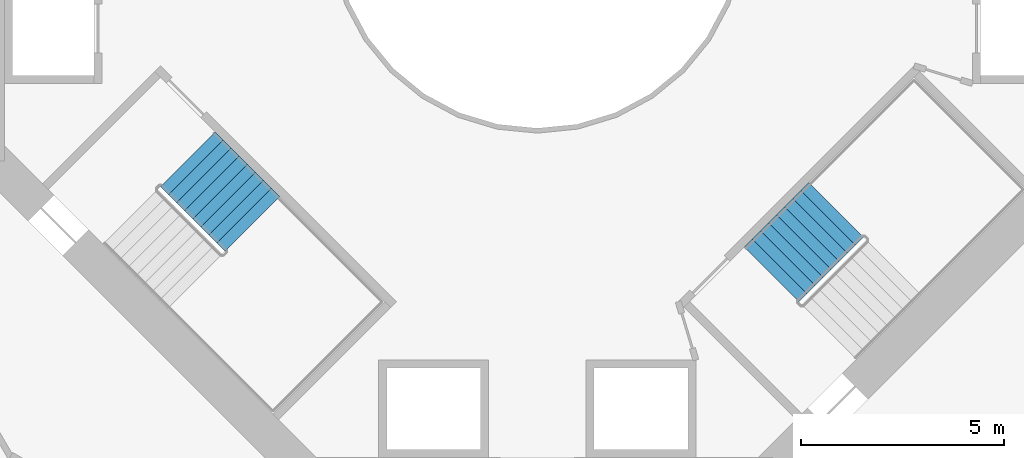
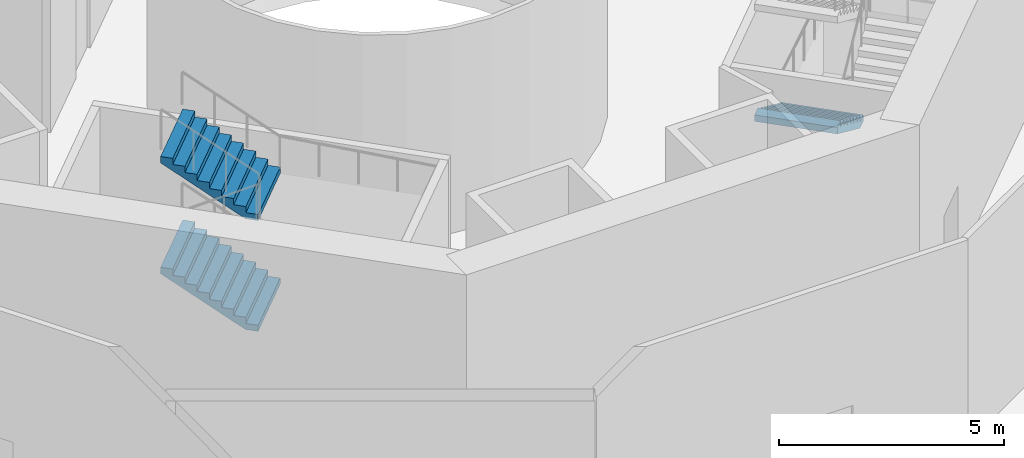
# One storey, part 15 of 29: 3 stair flights, 2 elements without a shape of their own.
"""IFC4 building model written with IfcOpenShell, lengths in metres."""

import ifcopenshell
import ifcopenshell.guid

model = None  # the IFC model being written
_history = None  # IfcOwnerHistory: only IFC2X3 demands one
_inside = {}  # id of a spatial element -> (the spatial element, [elements in it])
_under = {}  # id of a project, library or spatial element -> (it, [spatial elements below it])
_declared = {}  # id of a project -> (the project, [libraries it declares])
_typed = {}  # id of a type object -> (the type object, [elements of that type])
_made_of = {}  # id of a material, layer set ... -> (it, [elements and type objects made of it])


def new_model(schema):
    """Start an empty IFC model of exactly this schema.

    Asked for "IFC4X3", IfcOpenShell would pick the latest addendum, in which some entities
    have other attributes; the version numbers below select the first issue.
    IFC2X3 requires an IfcOwnerHistory on every rooted entity: one is made here for all.
    """
    global model, _history
    if schema == "IFC4X3":
        model = ifcopenshell.file(schema_version=(4, 3, 0, 0))
    else:
        model = ifcopenshell.file(schema=schema)
    _inside.clear()
    _under.clear()
    _declared.clear()
    _typed.clear()
    _made_of.clear()
    _history = None
    if model.schema == "IFC2X3":
        org = make("IfcOrganization", Name="unknown")
        user = make(
            "IfcPersonAndOrganization",
            ThePerson=make("IfcPerson", FamilyName="unknown"),
            TheOrganization=org,
        )
        app = make(
            "IfcApplication",
            ApplicationDeveloper=org,
            Version="unknown",
            ApplicationFullName="unknown",
            ApplicationIdentifier="unknown",
        )
        _history = make(
            "IfcOwnerHistory",
            OwningUser=user,
            OwningApplication=app,
            ChangeAction="ADDED",
            CreationDate=0,
        )
    return model


def make(cls, **values):
    """One entity of the class cls with the attributes given. An attribute that is None is left unset."""
    return model.create_entity(
        cls, **{name: value for name, value in values.items() if value is not None}
    )


def rooted(cls, **values):
    """An entity with a GlobalId (a new one), such as an element, a storey or a relation."""
    return make(cls, GlobalId=ifcopenshell.guid.new(), OwnerHistory=_history, **values)


def si_unit(unit_type, name, prefix=None):
    """IfcSIUnit, for example si_unit("LENGTHUNIT", "METRE", prefix="MILLI")."""
    return make("IfcSIUnit", UnitType=unit_type, Prefix=prefix, Name=name)


def assignment(units):
    """IfcUnitAssignment: the units of a project."""
    return None if units is None else make("IfcUnitAssignment", Units=units)


def point(xyz):
    """IfcCartesianPoint."""
    return None if xyz is None else make("IfcCartesianPoint", Coordinates=xyz)


def direction(xyz):
    """IfcDirection."""
    return None if xyz is None else make("IfcDirection", DirectionRatios=xyz)


def frame(location, z_axis=None, x_axis=None):
    """IfcAxis2Placement3D, a coordinate frame: its origin and axes. An axis left out is left unset."""
    return make(
        "IfcAxis2Placement3D",
        Location=point(location),
        Axis=direction(z_axis),
        RefDirection=direction(x_axis),
    )


def origin():
    """The frame at (0, 0, 0) with its axes left unset."""
    return frame((0.0, 0.0, 0.0))


def place(relative_to, where):
    """IfcLocalPlacement: puts the frame where relative to a parent placement (None: the world)."""
    return make(
        "IfcLocalPlacement", PlacementRelTo=relative_to, RelativePlacement=where
    )


def context(
    kind, dimensions, precision=None, world=None, true_north=None, identifier=None
):
    """IfcGeometricRepresentationContext, for example the 3D "Model" context."""
    return make(
        "IfcGeometricRepresentationContext",
        ContextIdentifier=identifier,
        ContextType=kind,
        CoordinateSpaceDimension=dimensions,
        Precision=precision,
        WorldCoordinateSystem=world,
        TrueNorth=true_north,
    )


def subcontext(parent, identifier, kind, view, scale=None):
    """IfcGeometricRepresentationSubContext, for example "Body" below "Model"."""
    return make(
        "IfcGeometricRepresentationSubContext",
        ContextIdentifier=identifier,
        ContextType=kind,
        ParentContext=parent,
        TargetScale=scale,
        TargetView=view,
    )


def project(units=None, contexts=None):
    """IfcProject with its units and contexts."""
    return rooted(
        "IfcProject",
        Name="project",
        RepresentationContexts=contexts,
        UnitsInContext=assignment(units),
    )


def spatial(cls, under=None, at=None, **own):
    """A site, building, storey or space (cls), placed at a placement, below another one or the project."""
    s = rooted(cls, ObjectPlacement=at, **own)
    if under is not None:
        _under.setdefault(under.id(), (under, []))[1].append(s)
    return s


def point_list(points):
    """IfcCartesianPointList2D or 3D."""
    cls = (
        "IfcCartesianPointList2D" if len(points[0]) == 2 else "IfcCartesianPointList3D"
    )
    return make(cls, CoordList=points)


def triangles(points, corners, closed=None, point_numbers=None):
    """IfcTriangulatedFaceSet: each triangle names its three corners, points numbered from 1."""
    return make(
        "IfcTriangulatedFaceSet",
        Coordinates=point_list(points),
        Closed=closed,
        CoordIndex=corners,
        PnIndex=point_numbers,
    )


def shape(context_of_items, identifier, shape_type, items):
    """IfcShapeRepresentation: the items that make up one representation, for example the "Body"."""
    return make(
        "IfcShapeRepresentation",
        ContextOfItems=context_of_items,
        RepresentationIdentifier=identifier,
        RepresentationType=shape_type,
        Items=items,
    )


def material(Name=None, Category=None):
    """IfcMaterial."""
    return make("IfcMaterial", Name=Name, Category=Category)


def made_of(thing, what):
    """Note that an element or type object is made of a material, layer set ...; save() writes the relation."""
    if what is not None:
        _made_of.setdefault(what.id(), (what, []))[1].append(thing)
    return thing


def type_object(cls, material=None, **own):
    """A type object (cls), such as IfcWallType, which elements share."""
    return made_of(rooted(cls, **own), material)


def element(
    cls,
    number,
    at=None,
    inside=None,
    cuts=None,
    type_object=None,
    material=None,
    context=None,
    identifier="Body",
    shape_type=None,
    held_by="IfcProductDefinitionShape",
    body=None,
    shapes=None,
    **own,
):
    """One element of the class cls, such as IfcWall. Its Tag is "e" and its number.

    at: its placement. inside: the storey or other place that contains it. cuts: it is an
    opening in that element (IfcRelVoidsElement). A single representation is given by context,
    identifier, shape_type and body (its items); several are given by shapes. held_by: the class
    of the entity that holds the representations. save() writes the other relations.
    """
    e = rooted(cls, Tag="e%d" % number, ObjectPlacement=at, **own)
    if body is not None:
        shapes = [shape(context, identifier, shape_type, body)]
    if shapes is not None:
        e.Representation = make(held_by, Representations=shapes)
    if inside is not None:
        _inside.setdefault(inside.id(), (inside, []))[1].append(e)
    if cuts is not None:
        rooted(
            "IfcRelVoidsElement", RelatingBuildingElement=cuts, RelatedOpeningElement=e
        )
    if type_object is not None:
        _typed.setdefault(type_object.id(), (type_object, []))[1].append(e)
    return made_of(e, material)


def aggregate(whole, parts):
    """IfcRelAggregates: a whole, such as a stair, and the parts it consists of."""
    return rooted("IfcRelAggregates", RelatingObject=whole, RelatedObjects=parts)


def save(model, path):
    """Write the relations noted so far, then the file.

    IfcRelAggregates (storeys below a building ...), IfcRelContainedInSpatialStructure (elements
    in a storey), IfcRelDefinesByType, IfcRelAssociatesMaterial and IfcRelDeclares: one each for
    every whole, place, type object, material and project.
    """
    for whole, parts in _under.values():
        aggregate(whole, parts)
    for where, things in _inside.values():
        rooted(
            "IfcRelContainedInSpatialStructure",
            RelatedElements=things,
            RelatingStructure=where,
        )
    for kind, things in _typed.values():
        rooted("IfcRelDefinesByType", RelatedObjects=things, RelatingType=kind)
    for what, things in _made_of.values():
        rooted("IfcRelAssociatesMaterial", RelatedObjects=things, RelatingMaterial=what)
    for by, libraries in _declared.values():
        rooted("IfcRelDeclares", RelatingContext=by, RelatedDefinitions=libraries)
    model.write(path)


model = new_model("IFC4")

# Units and contexts
model_context = context("Model", 3, precision=1e-05, world=origin(), true_north=direction((0.0, 1.0)))
body_context = subcontext(model_context, "Body", "Model", "MODEL_VIEW")
ifc_project = project(units=[si_unit("LENGTHUNIT", "METRE"), si_unit("AREAUNIT", "SQUARE_METRE"), si_unit("VOLUMEUNIT", "CUBIC_METRE"), si_unit("PLANEANGLEUNIT", "RADIAN"), si_unit("MASSUNIT", "GRAM", prefix="KILO")], contexts=[model_context])

# Site, building, storey
site_placement = place(None, origin())
site = spatial("IfcSite", under=ifc_project, at=site_placement, CompositionType="ELEMENT")
building_placement = place(site_placement, origin())
building = spatial("IfcBuilding", under=site, at=building_placement, Name="Verdalira Terraces Hotel", CompositionType="ELEMENT")
storey_placement = place(building_placement, frame((0.0, 0.0, 8.0)))
storey = spatial("IfcBuildingStorey", under=building, at=storey_placement, Name="L01", CompositionType="ELEMENT", Elevation=8.0)

# Stair, stair flights
ifc_material_1 = material(Name="Concrete C40", Category="concrete")
stair_type = type_object("IfcStairType", Name="Core stair 36 risers 1900 mm wide", PredefinedType="HALF_TURN_STAIR", material=ifc_material_1)
stair_1_placement = place(storey_placement, origin())
stair_1 = element("IfcStair", 1, at=stair_1_placement, inside=storey, type_object=stair_type, Name="L01 Exit stair ST2", PredefinedType="HALF_TURN_STAIR")
ifc_material_2 = material(Name="Concrete C40", Category="concrete")
stair_flight_type = type_object("IfcStairFlightType", Name="Core stair flight 36 risers 1900 mm wide", PredefinedType="STRAIGHT", material=ifc_material_2)
stair_flight_1_placement = place(storey_placement, frame((-7.007324, -7.346924, 1.5), z_axis=(0.0, 0.0, 1.0), x_axis=(-0.707106781, 0.707106781, 0.0)))
stair_flight_1 = element("IfcStairFlight", 2, at=stair_flight_1_placement, type_object=stair_flight_type, Name="ST2 flight 2", NumberOfRisers=9, NumberOfTreads=8, PredefinedType="STRAIGHT", RiserHeight=0.166666667, TreadLength=0.28, context=body_context, shape_type="Tessellation", body=[
    triangles([(0.0, 0.949951, 0.0), (0.292969, 0.949951, 0.0), (2.23999, 0.949951, 1.158936), (0.0, -0.949951, 0.0), (0.292969, -0.949951, 0.0), (2.23999, -0.949951, 1.158936), (2.23999, 0.949951, 1.333252), (1.959961, 0.949951, 1.333252), (2.23999, -0.949951, 1.333252), (1.959961, -0.949951, 1.333252), (1.959961, 0.949951, 1.166748), (1.959961, -0.949951, 1.166748), (1.679932, 0.949951, 1.166748), (1.679932, -0.949951, 1.166748), (1.679932, 0.949951, 1.0), (1.679932, -0.949951, 1.0), (1.399902, 0.949951, 1.0), (1.399902, 0.949951, 0.833252), (1.399902, -0.949951, 1.0), (1.399902, -0.949951, 0.833252), (1.120117, 0.949951, 0.833252), (1.120117, 0.949951, 0.666748), (1.120117, -0.949951, 0.833252), (1.120117, -0.949951, 0.666748), (0.840088, 0.949951, 0.666748), (0.840088, 0.949951, 0.5), (0.840088, -0.949951, 0.666748), (0.840088, -0.949951, 0.5), (0.560059, 0.949951, 0.5), (0.560059, 0.949951, 0.333252), (0.560059, -0.949951, 0.5), (0.560059, -0.949951, 0.333252), (0.280029, 0.949951, 0.333252), (0.280029, 0.949951, 0.166748), (0.280029, -0.949951, 0.333252), (0.280029, -0.949951, 0.166748), (0.0, 0.949951, 0.166748), (0.0, -0.949951, 0.166748), (0.0, -0.890579, 0.0), (0.0, -0.890579, 0.166748), (0.0, -0.831207, 0.0), (0.0, -0.831207, 0.166748), (0.0, -0.771835, 0.0), (0.0, -0.771835, 0.166748), (0.0, -0.712463, 0.0), (0.0, -0.712463, 0.166748), (0.0, -0.653091, 0.0), (0.0, -0.653091, 0.166748), (0.0, -0.593719, 0.0), (0.0, -0.593719, 0.166748), (0.0, -0.534348, 0.0), (0.0, -0.534348, 0.166748), (0.0, -0.474976, 0.0), (0.0, -0.474976, 0.166748), (0.0, -0.415604, 0.0), (0.0, -0.415604, 0.166748), (0.0, -0.356232, 0.0), (0.0, -0.356232, 0.166748), (0.0, -0.29686, 0.0), (0.0, -0.29686, 0.166748), (0.0, -0.237488, 0.0), (0.0, -0.237488, 0.166748), (0.0, -0.178116, 0.0), (0.0, -0.178116, 0.166748), (0.0, -0.118744, 0.0), (0.0, -0.118744, 0.166748), (0.0, -0.059372, 0.0), (0.0, -0.059372, 0.166748), (0.0, 0.0, 0.0), (0.0, 0.0, 0.166748), (0.0, 0.059372, 0.0), (0.0, 0.059372, 0.166748), (0.0, 0.118744, 0.0), (0.0, 0.118744, 0.166748), (0.0, 0.178116, 0.0), (0.0, 0.178116, 0.166748), (0.0, 0.237488, 0.0), (0.0, 0.237488, 0.166748), (0.0, 0.29686, 0.0), (0.0, 0.29686, 0.166748), (0.0, 0.356232, 0.0), (0.0, 0.356232, 0.166748), (0.0, 0.415604, 0.0), (0.0, 0.415604, 0.166748), (0.0, 0.474976, 0.0), (0.0, 0.474976, 0.166748), (0.0, 0.534348, 0.0), (0.0, 0.534348, 0.166748), (0.0, 0.593719, 0.0), (0.0, 0.593719, 0.166748), (0.0, 0.653091, 0.0), (0.0, 0.653091, 0.166748), (0.0, 0.712463, 0.0), (0.0, 0.712463, 0.166748), (0.0, 0.771835, 0.0), (0.0, 0.771835, 0.166748), (0.0, 0.831207, 0.0), (0.0, 0.831207, 0.166748), (0.0, 0.890579, 0.0), (0.0, 0.890579, 0.166748), (2.23999, -0.890579, 1.333252), (2.23999, -0.831207, 1.333252), (2.23999, -0.771835, 1.333252), (2.23999, -0.712463, 1.333252), (2.23999, -0.653091, 1.333252), (2.23999, -0.593719, 1.333252), (2.23999, -0.534348, 1.333252), (2.23999, -0.474976, 1.333252), (2.23999, -0.415604, 1.333252), (2.23999, -0.356232, 1.333252), (2.23999, -0.29686, 1.333252), (2.23999, -0.237488, 1.333252), (2.23999, -0.178116, 1.333252), (2.23999, -0.118744, 1.333252), (2.23999, -0.059372, 1.333252), (2.23999, 0.0, 1.333252), (2.23999, 0.059372, 1.333252), (2.23999, 0.118744, 1.333252), (2.23999, 0.178116, 1.333252), (2.23999, 0.237488, 1.333252), (2.23999, 0.29686, 1.333252), (2.23999, 0.356232, 1.333252), (2.23999, 0.415604, 1.333252), (2.23999, 0.474976, 1.333252), (2.23999, 0.534348, 1.333252), (2.23999, 0.593719, 1.333252), (2.23999, 0.653091, 1.333252), (2.23999, 0.712463, 1.333252), (2.23999, 0.771835, 1.333252), (2.23999, 0.831207, 1.333252), (2.23999, 0.890579, 1.333252), (2.23999, -0.890579, 1.158936), (2.23999, -0.831207, 1.158936), (2.23999, -0.771835, 1.158936), (2.23999, -0.712463, 1.158936), (2.23999, -0.653091, 1.158936), (2.23999, -0.593719, 1.158936), (2.23999, -0.534348, 1.158936), (2.23999, -0.474976, 1.158936), (2.23999, -0.415604, 1.158936), (2.23999, -0.356232, 1.158936), (2.23999, -0.29686, 1.158936), (2.23999, -0.237488, 1.158936), (2.23999, -0.178116, 1.158936), (2.23999, -0.118744, 1.158936), (2.23999, -0.059372, 1.158936), (2.23999, 0.0, 1.158936), (2.23999, 0.059372, 1.158936), (2.23999, 0.118744, 1.158936), (2.23999, 0.178116, 1.158936), (2.23999, 0.237488, 1.158936), (2.23999, 0.29686, 1.158936), (2.23999, 0.356232, 1.158936), (2.23999, 0.415604, 1.158936), (2.23999, 0.474976, 1.158936), (2.23999, 0.534348, 1.158936), (2.23999, 0.593719, 1.158936), (2.23999, 0.653091, 1.158936), (2.23999, 0.712463, 1.158936), (2.23999, 0.771835, 1.158936), (2.23999, 0.831207, 1.158936), (2.23999, 0.890579, 1.158936)], [[1, 3, 2], [4, 5, 6], [3, 8, 7], [6, 9, 10], [3, 11, 8], [6, 10, 12], [3, 13, 11], [6, 12, 14], [3, 15, 13], [6, 14, 16], [15, 18, 17], [16, 19, 20], [3, 18, 15], [6, 16, 20], [18, 22, 21], [20, 23, 24], [3, 22, 18], [6, 20, 24], [22, 26, 25], [24, 27, 28], [3, 26, 22], [6, 24, 28], [26, 30, 29], [28, 31, 32], [3, 30, 26], [6, 28, 32], [1, 30, 3], [4, 6, 32], [30, 34, 33], [32, 35, 36], [1, 34, 30], [4, 32, 36], [34, 1, 37], [36, 38, 4], [4, 40, 39], [4, 38, 40], [39, 42, 41], [39, 40, 42], [41, 44, 43], [41, 42, 44], [43, 46, 45], [43, 44, 46], [45, 48, 47], [45, 46, 48], [47, 50, 49], [47, 48, 50], [49, 52, 51], [49, 50, 52], [51, 54, 53], [51, 52, 54], [53, 56, 55], [53, 54, 56], [55, 58, 57], [55, 56, 58], [57, 60, 59], [57, 58, 60], [59, 62, 61], [59, 60, 62], [61, 64, 63], [61, 62, 64], [63, 66, 65], [63, 64, 66], [65, 68, 67], [65, 66, 68], [67, 70, 69], [67, 68, 70], [69, 72, 71], [69, 70, 72], [71, 74, 73], [71, 72, 74], [73, 76, 75], [73, 74, 76], [75, 78, 77], [75, 76, 78], [77, 80, 79], [77, 78, 80], [79, 82, 81], [79, 80, 82], [81, 84, 83], [81, 82, 84], [83, 86, 85], [83, 84, 86], [85, 88, 87], [85, 86, 88], [87, 90, 89], [87, 88, 90], [89, 92, 91], [89, 90, 92], [91, 94, 93], [91, 92, 94], [93, 96, 95], [93, 94, 96], [95, 98, 97], [95, 96, 98], [97, 100, 99], [97, 98, 100], [99, 37, 1], [99, 100, 37], [38, 36, 40], [40, 36, 42], [42, 36, 44], [44, 36, 46], [46, 36, 48], [48, 36, 50], [50, 36, 52], [52, 36, 54], [54, 36, 56], [56, 36, 58], [58, 36, 60], [60, 36, 62], [62, 36, 64], [64, 36, 66], [66, 36, 68], [68, 36, 70], [70, 36, 72], [72, 36, 74], [74, 36, 76], [76, 36, 78], [78, 36, 80], [80, 36, 82], [82, 36, 84], [84, 36, 86], [86, 36, 88], [88, 36, 90], [90, 36, 92], [92, 36, 94], [94, 36, 96], [96, 36, 98], [98, 36, 100], [100, 36, 37], [37, 36, 34], [36, 33, 34], [36, 35, 33], [35, 30, 33], [35, 32, 30], [32, 29, 30], [32, 31, 29], [31, 26, 29], [31, 28, 26], [28, 25, 26], [28, 27, 25], [27, 22, 25], [27, 24, 22], [24, 21, 22], [24, 23, 21], [23, 18, 21], [23, 20, 18], [20, 17, 18], [20, 19, 17], [19, 15, 17], [19, 16, 15], [16, 13, 15], [16, 14, 13], [14, 11, 13], [14, 12, 11], [12, 8, 11], [12, 10, 8], [9, 101, 10], [101, 102, 10], [102, 103, 10], [103, 104, 10], [104, 105, 10], [105, 106, 10], [106, 107, 10], [107, 108, 10], [108, 109, 10], [109, 110, 10], [110, 111, 10], [111, 112, 10], [112, 113, 10], [113, 114, 10], [114, 115, 10], [115, 116, 10], [116, 117, 10], [117, 118, 10], [118, 119, 10], [119, 120, 10], [120, 121, 10], [121, 122, 10], [122, 123, 10], [123, 124, 10], [124, 125, 10], [125, 126, 10], [126, 127, 10], [127, 128, 10], [128, 129, 10], [129, 130, 10], [130, 131, 10], [131, 7, 10], [7, 8, 10], [9, 132, 101], [9, 6, 132], [101, 133, 102], [101, 132, 133], [102, 134, 103], [102, 133, 134], [103, 135, 104], [103, 134, 135], [104, 136, 105], [104, 135, 136], [105, 137, 106], [105, 136, 137], [106, 138, 107], [106, 137, 138], [107, 139, 108], [107, 138, 139], [108, 140, 109], [108, 139, 140], [109, 141, 110], [109, 140, 141], [110, 142, 111], [110, 141, 142], [111, 143, 112], [111, 142, 143], [112, 144, 113], [112, 143, 144], [113, 145, 114], [113, 144, 145], [114, 146, 115], [114, 145, 146], [115, 147, 116], [115, 146, 147], [116, 148, 117], [116, 147, 148], [117, 149, 118], [117, 148, 149], [118, 150, 119], [118, 149, 150], [119, 151, 120], [119, 150, 151], [120, 152, 121], [120, 151, 152], [121, 153, 122], [121, 152, 153], [122, 154, 123], [122, 153, 154], [123, 155, 124], [123, 154, 155], [124, 156, 125], [124, 155, 156], [125, 157, 126], [125, 156, 157], [126, 158, 127], [126, 157, 158], [127, 159, 128], [127, 158, 159], [128, 160, 129], [128, 159, 160], [129, 161, 130], [129, 160, 161], [130, 162, 131], [130, 161, 162], [131, 3, 7], [131, 162, 3], [6, 5, 132], [132, 5, 133], [133, 5, 134], [134, 5, 135], [135, 5, 136], [136, 5, 137], [137, 5, 138], [138, 5, 139], [139, 5, 140], [140, 5, 141], [141, 5, 142], [142, 5, 143], [143, 5, 144], [144, 5, 145], [145, 5, 146], [146, 5, 147], [147, 5, 148], [148, 5, 149], [149, 5, 150], [150, 5, 151], [151, 5, 152], [152, 5, 153], [153, 5, 154], [154, 5, 155], [155, 5, 156], [156, 5, 157], [157, 5, 158], [158, 5, 159], [159, 5, 160], [160, 5, 161], [161, 5, 162], [162, 5, 3], [3, 5, 2], [4, 39, 5], [39, 41, 5], [41, 43, 5], [43, 45, 5], [45, 47, 5], [47, 49, 5], [49, 51, 5], [51, 53, 5], [53, 55, 5], [55, 57, 5], [57, 59, 5], [59, 61, 5], [61, 63, 5], [63, 65, 5], [65, 67, 5], [67, 69, 5], [69, 71, 5], [71, 73, 5], [73, 75, 5], [75, 77, 5], [77, 79, 5], [79, 81, 5], [81, 83, 5], [83, 85, 5], [85, 87, 5], [87, 89, 5], [89, 91, 5], [91, 93, 5], [93, 95, 5], [95, 97, 5], [97, 99, 5], [99, 1, 5], [1, 2, 5]], closed=True),
])
stair_flight_2_placement = place(storey_placement, frame((-7.007324, -7.346924, 4.5), z_axis=(0.0, 0.0, 1.0), x_axis=(-0.707106781, 0.707106781, 0.0)))
stair_flight_2 = element("IfcStairFlight", 3, at=stair_flight_2_placement, type_object=stair_flight_type, Name="ST2 flight 4", NumberOfRisers=9, NumberOfTreads=8, PredefinedType="STRAIGHT", RiserHeight=0.166666667, TreadLength=0.28, context=body_context, shape_type="Tessellation", body=[
    triangles([(0.0, 0.949951, 0.0), (0.292969, 0.949951, 0.0), (2.23999, 0.949951, 1.158936), (0.0, -0.949951, 0.0), (0.292969, -0.949951, 0.0), (2.23999, -0.949951, 1.158936), (2.23999, 0.949951, 1.333252), (1.959961, 0.949951, 1.333252), (2.23999, -0.949951, 1.333252), (1.959961, -0.949951, 1.333252), (1.959961, 0.949951, 1.166748), (1.959961, -0.949951, 1.166748), (1.679932, 0.949951, 1.166748), (1.679932, -0.949951, 1.166748), (1.679932, 0.949951, 1.0), (1.679932, -0.949951, 1.0), (1.399902, 0.949951, 1.0), (1.399902, 0.949951, 0.833252), (1.399902, -0.949951, 1.0), (1.399902, -0.949951, 0.833252), (1.120117, 0.949951, 0.833252), (1.120117, 0.949951, 0.666748), (1.120117, -0.949951, 0.833252), (1.120117, -0.949951, 0.666748), (0.840088, 0.949951, 0.666748), (0.840088, 0.949951, 0.5), (0.840088, -0.949951, 0.666748), (0.840088, -0.949951, 0.5), (0.560059, 0.949951, 0.5), (0.560059, 0.949951, 0.333252), (0.560059, -0.949951, 0.5), (0.560059, -0.949951, 0.333252), (0.280029, 0.949951, 0.333252), (0.280029, 0.949951, 0.166748), (0.280029, -0.949951, 0.333252), (0.280029, -0.949951, 0.166748), (0.0, 0.949951, 0.166748), (0.0, -0.949951, 0.166748), (0.0, -0.890579, 0.0), (0.0, -0.890579, 0.166748), (0.0, -0.831207, 0.0), (0.0, -0.831207, 0.166748), (0.0, -0.771835, 0.0), (0.0, -0.771835, 0.166748), (0.0, -0.712463, 0.0), (0.0, -0.712463, 0.166748), (0.0, -0.653091, 0.0), (0.0, -0.653091, 0.166748), (0.0, -0.593719, 0.0), (0.0, -0.593719, 0.166748), (0.0, -0.534348, 0.0), (0.0, -0.534348, 0.166748), (0.0, -0.474976, 0.0), (0.0, -0.474976, 0.166748), (0.0, -0.415604, 0.0), (0.0, -0.415604, 0.166748), (0.0, -0.356232, 0.0), (0.0, -0.356232, 0.166748), (0.0, -0.29686, 0.0), (0.0, -0.29686, 0.166748), (0.0, -0.237488, 0.0), (0.0, -0.237488, 0.166748), (0.0, -0.178116, 0.0), (0.0, -0.178116, 0.166748), (0.0, -0.118744, 0.0), (0.0, -0.118744, 0.166748), (0.0, -0.059372, 0.0), (0.0, -0.059372, 0.166748), (0.0, 0.0, 0.0), (0.0, 0.0, 0.166748), (0.0, 0.059372, 0.0), (0.0, 0.059372, 0.166748), (0.0, 0.118744, 0.0), (0.0, 0.118744, 0.166748), (0.0, 0.178116, 0.0), (0.0, 0.178116, 0.166748), (0.0, 0.237488, 0.0), (0.0, 0.237488, 0.166748), (0.0, 0.29686, 0.0), (0.0, 0.29686, 0.166748), (0.0, 0.356232, 0.0), (0.0, 0.356232, 0.166748), (0.0, 0.415604, 0.0), (0.0, 0.415604, 0.166748), (0.0, 0.474976, 0.0), (0.0, 0.474976, 0.166748), (0.0, 0.534348, 0.0), (0.0, 0.534348, 0.166748), (0.0, 0.593719, 0.0), (0.0, 0.593719, 0.166748), (0.0, 0.653091, 0.0), (0.0, 0.653091, 0.166748), (0.0, 0.712463, 0.0), (0.0, 0.712463, 0.166748), (0.0, 0.771835, 0.0), (0.0, 0.771835, 0.166748), (0.0, 0.831207, 0.0), (0.0, 0.831207, 0.166748), (0.0, 0.890579, 0.0), (0.0, 0.890579, 0.166748), (2.23999, -0.890579, 1.333252), (2.23999, -0.831207, 1.333252), (2.23999, -0.771835, 1.333252), (2.23999, -0.712463, 1.333252), (2.23999, -0.653091, 1.333252), (2.23999, -0.593719, 1.333252), (2.23999, -0.534348, 1.333252), (2.23999, -0.474976, 1.333252), (2.23999, -0.415604, 1.333252), (2.23999, -0.356232, 1.333252), (2.23999, -0.29686, 1.333252), (2.23999, -0.237488, 1.333252), (2.23999, -0.178116, 1.333252), (2.23999, -0.118744, 1.333252), (2.23999, -0.059372, 1.333252), (2.23999, 0.0, 1.333252), (2.23999, 0.059372, 1.333252), (2.23999, 0.118744, 1.333252), (2.23999, 0.178116, 1.333252), (2.23999, 0.237488, 1.333252), (2.23999, 0.29686, 1.333252), (2.23999, 0.356232, 1.333252), (2.23999, 0.415604, 1.333252), (2.23999, 0.474976, 1.333252), (2.23999, 0.534348, 1.333252), (2.23999, 0.593719, 1.333252), (2.23999, 0.653091, 1.333252), (2.23999, 0.712463, 1.333252), (2.23999, 0.771835, 1.333252), (2.23999, 0.831207, 1.333252), (2.23999, 0.890579, 1.333252), (2.23999, -0.890579, 1.158936), (2.23999, -0.831207, 1.158936), (2.23999, -0.771835, 1.158936), (2.23999, -0.712463, 1.158936), (2.23999, -0.653091, 1.158936), (2.23999, -0.593719, 1.158936), (2.23999, -0.534348, 1.158936), (2.23999, -0.474976, 1.158936), (2.23999, -0.415604, 1.158936), (2.23999, -0.356232, 1.158936), (2.23999, -0.29686, 1.158936), (2.23999, -0.237488, 1.158936), (2.23999, -0.178116, 1.158936), (2.23999, -0.118744, 1.158936), (2.23999, -0.059372, 1.158936), (2.23999, 0.0, 1.158936), (2.23999, 0.059372, 1.158936), (2.23999, 0.118744, 1.158936), (2.23999, 0.178116, 1.158936), (2.23999, 0.237488, 1.158936), (2.23999, 0.29686, 1.158936), (2.23999, 0.356232, 1.158936), (2.23999, 0.415604, 1.158936), (2.23999, 0.474976, 1.158936), (2.23999, 0.534348, 1.158936), (2.23999, 0.593719, 1.158936), (2.23999, 0.653091, 1.158936), (2.23999, 0.712463, 1.158936), (2.23999, 0.771835, 1.158936), (2.23999, 0.831207, 1.158936), (2.23999, 0.890579, 1.158936)], [[1, 3, 2], [4, 5, 6], [3, 8, 7], [6, 9, 10], [3, 11, 8], [6, 10, 12], [3, 13, 11], [6, 12, 14], [3, 15, 13], [6, 14, 16], [15, 18, 17], [16, 19, 20], [3, 18, 15], [6, 16, 20], [18, 22, 21], [20, 23, 24], [3, 22, 18], [6, 20, 24], [22, 26, 25], [24, 27, 28], [3, 26, 22], [6, 24, 28], [26, 30, 29], [28, 31, 32], [3, 30, 26], [6, 28, 32], [1, 30, 3], [4, 6, 32], [30, 34, 33], [32, 35, 36], [1, 34, 30], [4, 32, 36], [34, 1, 37], [36, 38, 4], [4, 40, 39], [4, 38, 40], [39, 42, 41], [39, 40, 42], [41, 44, 43], [41, 42, 44], [43, 46, 45], [43, 44, 46], [45, 48, 47], [45, 46, 48], [47, 50, 49], [47, 48, 50], [49, 52, 51], [49, 50, 52], [51, 54, 53], [51, 52, 54], [53, 56, 55], [53, 54, 56], [55, 58, 57], [55, 56, 58], [57, 60, 59], [57, 58, 60], [59, 62, 61], [59, 60, 62], [61, 64, 63], [61, 62, 64], [63, 66, 65], [63, 64, 66], [65, 68, 67], [65, 66, 68], [67, 70, 69], [67, 68, 70], [69, 72, 71], [69, 70, 72], [71, 74, 73], [71, 72, 74], [73, 76, 75], [73, 74, 76], [75, 78, 77], [75, 76, 78], [77, 80, 79], [77, 78, 80], [79, 82, 81], [79, 80, 82], [81, 84, 83], [81, 82, 84], [83, 86, 85], [83, 84, 86], [85, 88, 87], [85, 86, 88], [87, 90, 89], [87, 88, 90], [89, 92, 91], [89, 90, 92], [91, 94, 93], [91, 92, 94], [93, 96, 95], [93, 94, 96], [95, 98, 97], [95, 96, 98], [97, 100, 99], [97, 98, 100], [99, 37, 1], [99, 100, 37], [38, 36, 40], [40, 36, 42], [42, 36, 44], [44, 36, 46], [46, 36, 48], [48, 36, 50], [50, 36, 52], [52, 36, 54], [54, 36, 56], [56, 36, 58], [58, 36, 60], [60, 36, 62], [62, 36, 64], [64, 36, 66], [66, 36, 68], [68, 36, 70], [70, 36, 72], [72, 36, 74], [74, 36, 76], [76, 36, 78], [78, 36, 80], [80, 36, 82], [82, 36, 84], [84, 36, 86], [86, 36, 88], [88, 36, 90], [90, 36, 92], [92, 36, 94], [94, 36, 96], [96, 36, 98], [98, 36, 100], [100, 36, 37], [37, 36, 34], [36, 33, 34], [36, 35, 33], [35, 30, 33], [35, 32, 30], [32, 29, 30], [32, 31, 29], [31, 26, 29], [31, 28, 26], [28, 25, 26], [28, 27, 25], [27, 22, 25], [27, 24, 22], [24, 21, 22], [24, 23, 21], [23, 18, 21], [23, 20, 18], [20, 17, 18], [20, 19, 17], [19, 15, 17], [19, 16, 15], [16, 13, 15], [16, 14, 13], [14, 11, 13], [14, 12, 11], [12, 8, 11], [12, 10, 8], [9, 101, 10], [101, 102, 10], [102, 103, 10], [103, 104, 10], [104, 105, 10], [105, 106, 10], [106, 107, 10], [107, 108, 10], [108, 109, 10], [109, 110, 10], [110, 111, 10], [111, 112, 10], [112, 113, 10], [113, 114, 10], [114, 115, 10], [115, 116, 10], [116, 117, 10], [117, 118, 10], [118, 119, 10], [119, 120, 10], [120, 121, 10], [121, 122, 10], [122, 123, 10], [123, 124, 10], [124, 125, 10], [125, 126, 10], [126, 127, 10], [127, 128, 10], [128, 129, 10], [129, 130, 10], [130, 131, 10], [131, 7, 10], [7, 8, 10], [9, 132, 101], [9, 6, 132], [101, 133, 102], [101, 132, 133], [102, 134, 103], [102, 133, 134], [103, 135, 104], [103, 134, 135], [104, 136, 105], [104, 135, 136], [105, 137, 106], [105, 136, 137], [106, 138, 107], [106, 137, 138], [107, 139, 108], [107, 138, 139], [108, 140, 109], [108, 139, 140], [109, 141, 110], [109, 140, 141], [110, 142, 111], [110, 141, 142], [111, 143, 112], [111, 142, 143], [112, 144, 113], [112, 143, 144], [113, 145, 114], [113, 144, 145], [114, 146, 115], [114, 145, 146], [115, 147, 116], [115, 146, 147], [116, 148, 117], [116, 147, 148], [117, 149, 118], [117, 148, 149], [118, 150, 119], [118, 149, 150], [119, 151, 120], [119, 150, 151], [120, 152, 121], [120, 151, 152], [121, 153, 122], [121, 152, 153], [122, 154, 123], [122, 153, 154], [123, 155, 124], [123, 154, 155], [124, 156, 125], [124, 155, 156], [125, 157, 126], [125, 156, 157], [126, 158, 127], [126, 157, 158], [127, 159, 128], [127, 158, 159], [128, 160, 129], [128, 159, 160], [129, 161, 130], [129, 160, 161], [130, 162, 131], [130, 161, 162], [131, 3, 7], [131, 162, 3], [6, 5, 132], [132, 5, 133], [133, 5, 134], [134, 5, 135], [135, 5, 136], [136, 5, 137], [137, 5, 138], [138, 5, 139], [139, 5, 140], [140, 5, 141], [141, 5, 142], [142, 5, 143], [143, 5, 144], [144, 5, 145], [145, 5, 146], [146, 5, 147], [147, 5, 148], [148, 5, 149], [149, 5, 150], [150, 5, 151], [151, 5, 152], [152, 5, 153], [153, 5, 154], [154, 5, 155], [155, 5, 156], [156, 5, 157], [157, 5, 158], [158, 5, 159], [159, 5, 160], [160, 5, 161], [161, 5, 162], [162, 5, 3], [3, 5, 2], [4, 39, 5], [39, 41, 5], [41, 43, 5], [43, 45, 5], [45, 47, 5], [47, 49, 5], [49, 51, 5], [51, 53, 5], [53, 55, 5], [55, 57, 5], [57, 59, 5], [59, 61, 5], [61, 63, 5], [63, 65, 5], [65, 67, 5], [67, 69, 5], [69, 71, 5], [71, 73, 5], [73, 75, 5], [75, 77, 5], [77, 79, 5], [79, 81, 5], [81, 83, 5], [83, 85, 5], [85, 87, 5], [87, 89, 5], [89, 91, 5], [91, 93, 5], [93, 95, 5], [95, 97, 5], [97, 99, 5], [99, 1, 5], [1, 2, 5]], closed=True),
])
aggregate(stair_1, [stair_flight_1, stair_flight_2])

# Stair, stair flight
stair_2_placement = place(storey_placement, origin())
stair_2 = element("IfcStair", 4, at=stair_2_placement, inside=storey, type_object=stair_type, Name="L01 Exit stair ST3", PredefinedType="HALF_TURN_STAIR")
stair_flight_3_placement = place(storey_placement, frame((7.346924, -7.007324, 1.5), z_axis=(0.0, 0.0, 1.0), x_axis=(-0.707106781, -0.707106781, 0.0)))
stair_flight_3 = element("IfcStairFlight", 5, at=stair_flight_3_placement, type_object=stair_flight_type, Name="ST3 flight 2", NumberOfRisers=9, NumberOfTreads=8, PredefinedType="STRAIGHT", RiserHeight=0.166666667, TreadLength=0.28, context=body_context, shape_type="Tessellation", body=[
    triangles([(0.0, 0.949951, 0.0), (0.292969, 0.949951, 0.0), (2.23999, 0.949951, 1.158936), (0.0, -0.949951, 0.0), (0.292969, -0.949951, 0.0), (2.23999, -0.949951, 1.158936), (2.23999, 0.949951, 1.333252), (1.959961, 0.949951, 1.333252), (2.23999, -0.949951, 1.333252), (1.959961, -0.949951, 1.333252), (1.959961, 0.949951, 1.166748), (1.959961, -0.949951, 1.166748), (1.679932, 0.949951, 1.166748), (1.679932, -0.949951, 1.166748), (1.679932, 0.949951, 1.0), (1.679932, -0.949951, 1.0), (1.399902, 0.949951, 1.0), (1.399902, 0.949951, 0.833252), (1.399902, -0.949951, 1.0), (1.399902, -0.949951, 0.833252), (1.120117, 0.949951, 0.833252), (1.120117, 0.949951, 0.666748), (1.120117, -0.949951, 0.833252), (1.120117, -0.949951, 0.666748), (0.840088, 0.949951, 0.666748), (0.840088, 0.949951, 0.5), (0.840088, -0.949951, 0.666748), (0.840088, -0.949951, 0.5), (0.560059, 0.949951, 0.5), (0.560059, 0.949951, 0.333252), (0.560059, -0.949951, 0.5), (0.560059, -0.949951, 0.333252), (0.280029, 0.949951, 0.333252), (0.280029, 0.949951, 0.166748), (0.280029, -0.949951, 0.333252), (0.280029, -0.949951, 0.166748), (0.0, 0.949951, 0.166748), (0.0, -0.949951, 0.166748), (0.0, -0.890579, 0.0), (0.0, -0.890579, 0.166748), (0.0, -0.831207, 0.0), (0.0, -0.831207, 0.166748), (0.0, -0.771835, 0.0), (0.0, -0.771835, 0.166748), (0.0, -0.712463, 0.0), (0.0, -0.712463, 0.166748), (0.0, -0.653091, 0.0), (0.0, -0.653091, 0.166748), (0.0, -0.593719, 0.0), (0.0, -0.593719, 0.166748), (0.0, -0.534348, 0.0), (0.0, -0.534348, 0.166748), (0.0, -0.474976, 0.0), (0.0, -0.474976, 0.166748), (0.0, -0.415604, 0.0), (0.0, -0.415604, 0.166748), (0.0, -0.356232, 0.0), (0.0, -0.356232, 0.166748), (0.0, -0.29686, 0.0), (0.0, -0.29686, 0.166748), (0.0, -0.237488, 0.0), (0.0, -0.237488, 0.166748), (0.0, -0.178116, 0.0), (0.0, -0.178116, 0.166748), (0.0, -0.118744, 0.0), (0.0, -0.118744, 0.166748), (0.0, -0.059372, 0.0), (0.0, -0.059372, 0.166748), (0.0, 0.0, 0.0), (0.0, 0.0, 0.166748), (0.0, 0.059372, 0.0), (0.0, 0.059372, 0.166748), (0.0, 0.118744, 0.0), (0.0, 0.118744, 0.166748), (0.0, 0.178116, 0.0), (0.0, 0.178116, 0.166748), (0.0, 0.237488, 0.0), (0.0, 0.237488, 0.166748), (0.0, 0.29686, 0.0), (0.0, 0.29686, 0.166748), (0.0, 0.356232, 0.0), (0.0, 0.356232, 0.166748), (0.0, 0.415604, 0.0), (0.0, 0.415604, 0.166748), (0.0, 0.474976, 0.0), (0.0, 0.474976, 0.166748), (0.0, 0.534348, 0.0), (0.0, 0.534348, 0.166748), (0.0, 0.593719, 0.0), (0.0, 0.593719, 0.166748), (0.0, 0.653091, 0.0), (0.0, 0.653091, 0.166748), (0.0, 0.712463, 0.0), (0.0, 0.712463, 0.166748), (0.0, 0.771835, 0.0), (0.0, 0.771835, 0.166748), (0.0, 0.831207, 0.0), (0.0, 0.831207, 0.166748), (0.0, 0.890579, 0.0), (0.0, 0.890579, 0.166748), (2.23999, -0.890579, 1.333252), (2.23999, -0.831207, 1.333252), (2.23999, -0.771835, 1.333252), (2.23999, -0.712463, 1.333252), (2.23999, -0.653091, 1.333252), (2.23999, -0.593719, 1.333252), (2.23999, -0.534348, 1.333252), (2.23999, -0.474976, 1.333252), (2.23999, -0.415604, 1.333252), (2.23999, -0.356232, 1.333252), (2.23999, -0.29686, 1.333252), (2.23999, -0.237488, 1.333252), (2.23999, -0.178116, 1.333252), (2.23999, -0.118744, 1.333252), (2.23999, -0.059372, 1.333252), (2.23999, 0.0, 1.333252), (2.23999, 0.059372, 1.333252), (2.23999, 0.118744, 1.333252), (2.23999, 0.178116, 1.333252), (2.23999, 0.237488, 1.333252), (2.23999, 0.29686, 1.333252), (2.23999, 0.356232, 1.333252), (2.23999, 0.415604, 1.333252), (2.23999, 0.474976, 1.333252), (2.23999, 0.534348, 1.333252), (2.23999, 0.593719, 1.333252), (2.23999, 0.653091, 1.333252), (2.23999, 0.712463, 1.333252), (2.23999, 0.771835, 1.333252), (2.23999, 0.831207, 1.333252), (2.23999, 0.890579, 1.333252), (2.23999, -0.890579, 1.158936), (2.23999, -0.831207, 1.158936), (2.23999, -0.771835, 1.158936), (2.23999, -0.712463, 1.158936), (2.23999, -0.653091, 1.158936), (2.23999, -0.593719, 1.158936), (2.23999, -0.534348, 1.158936), (2.23999, -0.474976, 1.158936), (2.23999, -0.415604, 1.158936), (2.23999, -0.356232, 1.158936), (2.23999, -0.29686, 1.158936), (2.23999, -0.237488, 1.158936), (2.23999, -0.178116, 1.158936), (2.23999, -0.118744, 1.158936), (2.23999, -0.059372, 1.158936), (2.23999, 0.0, 1.158936), (2.23999, 0.059372, 1.158936), (2.23999, 0.118744, 1.158936), (2.23999, 0.178116, 1.158936), (2.23999, 0.237488, 1.158936), (2.23999, 0.29686, 1.158936), (2.23999, 0.356232, 1.158936), (2.23999, 0.415604, 1.158936), (2.23999, 0.474976, 1.158936), (2.23999, 0.534348, 1.158936), (2.23999, 0.593719, 1.158936), (2.23999, 0.653091, 1.158936), (2.23999, 0.712463, 1.158936), (2.23999, 0.771835, 1.158936), (2.23999, 0.831207, 1.158936), (2.23999, 0.890579, 1.158936)], [[1, 3, 2], [4, 5, 6], [3, 8, 7], [6, 9, 10], [3, 11, 8], [6, 10, 12], [3, 13, 11], [6, 12, 14], [3, 15, 13], [6, 14, 16], [15, 18, 17], [16, 19, 20], [3, 18, 15], [6, 16, 20], [18, 22, 21], [20, 23, 24], [3, 22, 18], [6, 20, 24], [22, 26, 25], [24, 27, 28], [3, 26, 22], [6, 24, 28], [26, 30, 29], [28, 31, 32], [3, 30, 26], [6, 28, 32], [1, 30, 3], [4, 6, 32], [30, 34, 33], [32, 35, 36], [1, 34, 30], [4, 32, 36], [34, 1, 37], [36, 38, 4], [4, 40, 39], [4, 38, 40], [39, 42, 41], [39, 40, 42], [41, 44, 43], [41, 42, 44], [43, 46, 45], [43, 44, 46], [45, 48, 47], [45, 46, 48], [47, 50, 49], [47, 48, 50], [49, 52, 51], [49, 50, 52], [51, 54, 53], [51, 52, 54], [53, 56, 55], [53, 54, 56], [55, 58, 57], [55, 56, 58], [57, 60, 59], [57, 58, 60], [59, 62, 61], [59, 60, 62], [61, 64, 63], [61, 62, 64], [63, 66, 65], [63, 64, 66], [65, 68, 67], [65, 66, 68], [67, 70, 69], [67, 68, 70], [69, 72, 71], [69, 70, 72], [71, 74, 73], [71, 72, 74], [73, 76, 75], [73, 74, 76], [75, 78, 77], [75, 76, 78], [77, 80, 79], [77, 78, 80], [79, 82, 81], [79, 80, 82], [81, 84, 83], [81, 82, 84], [83, 86, 85], [83, 84, 86], [85, 88, 87], [85, 86, 88], [87, 90, 89], [87, 88, 90], [89, 92, 91], [89, 90, 92], [91, 94, 93], [91, 92, 94], [93, 96, 95], [93, 94, 96], [95, 98, 97], [95, 96, 98], [97, 100, 99], [97, 98, 100], [99, 37, 1], [99, 100, 37], [38, 36, 40], [40, 36, 42], [42, 36, 44], [44, 36, 46], [46, 36, 48], [48, 36, 50], [50, 36, 52], [52, 36, 54], [54, 36, 56], [56, 36, 58], [58, 36, 60], [60, 36, 62], [62, 36, 64], [64, 36, 66], [66, 36, 68], [68, 36, 70], [70, 36, 72], [72, 36, 74], [74, 36, 76], [76, 36, 78], [78, 36, 80], [80, 36, 82], [82, 36, 84], [84, 36, 86], [86, 36, 88], [88, 36, 90], [90, 36, 92], [92, 36, 94], [94, 36, 96], [96, 36, 98], [98, 36, 100], [100, 36, 37], [37, 36, 34], [36, 33, 34], [36, 35, 33], [35, 30, 33], [35, 32, 30], [32, 29, 30], [32, 31, 29], [31, 26, 29], [31, 28, 26], [28, 25, 26], [28, 27, 25], [27, 22, 25], [27, 24, 22], [24, 21, 22], [24, 23, 21], [23, 18, 21], [23, 20, 18], [20, 17, 18], [20, 19, 17], [19, 15, 17], [19, 16, 15], [16, 13, 15], [16, 14, 13], [14, 11, 13], [14, 12, 11], [12, 8, 11], [12, 10, 8], [9, 101, 10], [101, 102, 10], [102, 103, 10], [103, 104, 10], [104, 105, 10], [105, 106, 10], [106, 107, 10], [107, 108, 10], [108, 109, 10], [109, 110, 10], [110, 111, 10], [111, 112, 10], [112, 113, 10], [113, 114, 10], [114, 115, 10], [115, 116, 10], [116, 117, 10], [117, 118, 10], [118, 119, 10], [119, 120, 10], [120, 121, 10], [121, 122, 10], [122, 123, 10], [123, 124, 10], [124, 125, 10], [125, 126, 10], [126, 127, 10], [127, 128, 10], [128, 129, 10], [129, 130, 10], [130, 131, 10], [131, 7, 10], [7, 8, 10], [9, 132, 101], [9, 6, 132], [101, 133, 102], [101, 132, 133], [102, 134, 103], [102, 133, 134], [103, 135, 104], [103, 134, 135], [104, 136, 105], [104, 135, 136], [105, 137, 106], [105, 136, 137], [106, 138, 107], [106, 137, 138], [107, 139, 108], [107, 138, 139], [108, 140, 109], [108, 139, 140], [109, 141, 110], [109, 140, 141], [110, 142, 111], [110, 141, 142], [111, 143, 112], [111, 142, 143], [112, 144, 113], [112, 143, 144], [113, 145, 114], [113, 144, 145], [114, 146, 115], [114, 145, 146], [115, 147, 116], [115, 146, 147], [116, 148, 117], [116, 147, 148], [117, 149, 118], [117, 148, 149], [118, 150, 119], [118, 149, 150], [119, 151, 120], [119, 150, 151], [120, 152, 121], [120, 151, 152], [121, 153, 122], [121, 152, 153], [122, 154, 123], [122, 153, 154], [123, 155, 124], [123, 154, 155], [124, 156, 125], [124, 155, 156], [125, 157, 126], [125, 156, 157], [126, 158, 127], [126, 157, 158], [127, 159, 128], [127, 158, 159], [128, 160, 129], [128, 159, 160], [129, 161, 130], [129, 160, 161], [130, 162, 131], [130, 161, 162], [131, 3, 7], [131, 162, 3], [6, 5, 132], [132, 5, 133], [133, 5, 134], [134, 5, 135], [135, 5, 136], [136, 5, 137], [137, 5, 138], [138, 5, 139], [139, 5, 140], [140, 5, 141], [141, 5, 142], [142, 5, 143], [143, 5, 144], [144, 5, 145], [145, 5, 146], [146, 5, 147], [147, 5, 148], [148, 5, 149], [149, 5, 150], [150, 5, 151], [151, 5, 152], [152, 5, 153], [153, 5, 154], [154, 5, 155], [155, 5, 156], [156, 5, 157], [157, 5, 158], [158, 5, 159], [159, 5, 160], [160, 5, 161], [161, 5, 162], [162, 5, 3], [3, 5, 2], [4, 39, 5], [39, 41, 5], [41, 43, 5], [43, 45, 5], [45, 47, 5], [47, 49, 5], [49, 51, 5], [51, 53, 5], [53, 55, 5], [55, 57, 5], [57, 59, 5], [59, 61, 5], [61, 63, 5], [63, 65, 5], [65, 67, 5], [67, 69, 5], [69, 71, 5], [71, 73, 5], [73, 75, 5], [75, 77, 5], [77, 79, 5], [79, 81, 5], [81, 83, 5], [83, 85, 5], [85, 87, 5], [87, 89, 5], [89, 91, 5], [91, 93, 5], [93, 95, 5], [95, 97, 5], [97, 99, 5], [99, 1, 5], [1, 2, 5]], closed=True),
])
aggregate(stair_2, [stair_flight_3])

save(model, "model.ifc")
